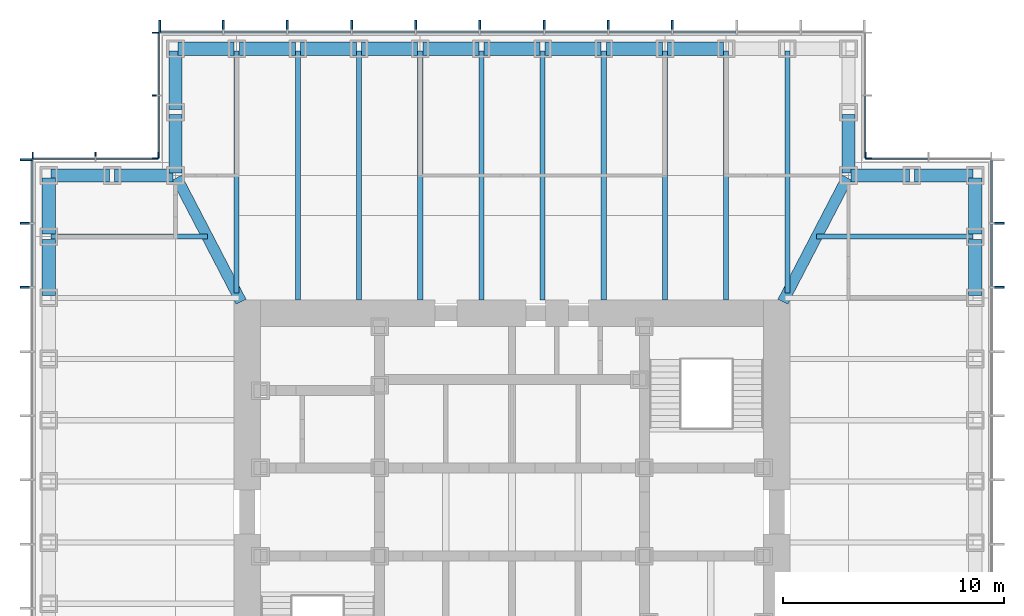
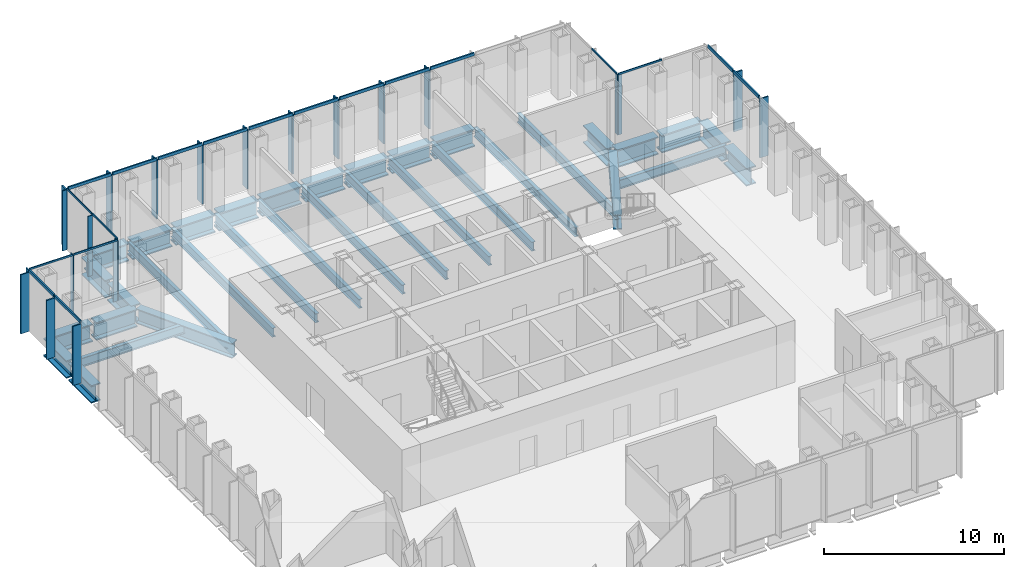
# One storey, part 5 of 16: 41 members, 34 beams, 7 elements without a shape of their own.
"""IFC4 building model written with IfcOpenShell, lengths in metres."""

from ifc_helpers import new_model, si_unit, direction, frame, origin, origin_2d, place, context, subcontext, project, spatial, rectangle, i_section, extrude, material, material_profile, profile_set, type_object, element, aggregate, save


model = new_model("IFC4")

# Units and contexts
model_context = context("Model", 3, precision=1e-05, world=origin(), true_north=direction((0.0, 1.0)))
body_context = subcontext(model_context, "Body", "Model", "MODEL_VIEW")
ifc_project = project(units=[si_unit("LENGTHUNIT", "METRE"), si_unit("AREAUNIT", "SQUARE_METRE"), si_unit("VOLUMEUNIT", "CUBIC_METRE"), si_unit("PLANEANGLEUNIT", "RADIAN"), si_unit("MASSUNIT", "GRAM", prefix="KILO")], contexts=[model_context])

# Site, building, storey
site_placement = place(None, origin())
site = spatial("IfcSite", under=ifc_project, at=site_placement, CompositionType="ELEMENT")
building_placement = place(site_placement, origin())
building = spatial("IfcBuilding", under=site, at=building_placement, Name="Daluyong Arena Tower", CompositionType="ELEMENT")
storey_placement = place(building_placement, frame((0.0, 0.0, 258.699951171875)))
storey = spatial("IfcBuildingStorey", under=building, at=storey_placement, Name="L58", CompositionType="ELEMENT", Elevation=258.699951171875)

# Curtain wall, members
ifc_material_1 = material(Name="Bronze anodised aluminium and glass", Category="aluminium")
curtain_wall_type_1 = type_object("IfcCurtainWallType", Name="Curtain wall CW4", PredefinedType="USERDEFINED", material=ifc_material_1)
curtain_wall_1_placement = place(storey_placement, origin())
curtain_wall_1 = element("IfcCurtainWall", 1, at=curtain_wall_1_placement, inside=storey, type_object=curtain_wall_type_1, Name="curtain wall L58 E", ObjectType="UNITISED CURTAIN WALL", PredefinedType="USERDEFINED")
ifc_material_2 = material(Name="Bronze anodised aluminium fin", Category="aluminium")
ifc_material_profile_1 = material_profile(ifc_material_2, rectangle(XDim=0.550048828125, YDim=0.090087890625, at=origin_2d()))
ifc_profile_set_1 = profile_set([ifc_material_profile_1], Name="Bronze anodised aluminium fin")
member_type_1 = type_object("IfcMemberType", Name="CW4 bronze fin 550x90", PredefinedType="MULLION", material=ifc_profile_set_1)
member_1_placement = place(storey_placement, frame((78.02490234375, 90.181884765625, 0.0), z_axis=(0.0, 0.0, 1.0), x_axis=(-1.0, 0.0, 0.0)))
member_1 = element("IfcMember", 2, at=member_1_placement, type_object=member_type_1, Name="curtain wall L58 E fin 10", PredefinedType="MULLION", context=body_context, shape_type="SweptSolid", body=[
    extrude(rectangle(XDim=0.550048828125, YDim=0.090087890625, at=origin_2d()), origin(), (0.0, 0.0, 1.0), 4.0),
])
member_2_placement = place(storey_placement, frame((78.02490234375, 93.0908203125, 0.0), z_axis=(0.0, 0.0, 1.0), x_axis=(-1.0, 0.0, 0.0)))
member_2 = element("IfcMember", 3, at=member_2_placement, type_object=member_type_1, Name="curtain wall L58 E fin 11", PredefinedType="MULLION", context=body_context, shape_type="SweptSolid", body=[
    extrude(rectangle(XDim=0.550048828125, YDim=0.090087890625, at=origin_2d()), origin(), (0.0, 0.0, 1.0), 4.0),
])

curtain_wall_2_placement = place(storey_placement, origin())
curtain_wall_2 = element("IfcCurtainWall", 4, at=curtain_wall_2_placement, inside=storey, type_object=curtain_wall_type_1, Name="curtain wall L58 N", ObjectType="UNITISED CURTAIN WALL", PredefinedType="USERDEFINED")
member_3_placement = place(storey_placement, frame((63.272705078125, 102.02490234375, 0.0), z_axis=(0.0, 0.0, 1.0), x_axis=(0.0, -1.0, 0.0)))
member_3 = element("IfcMember", 5, at=member_3_placement, type_object=member_type_1, Name="curtain wall L58 N fin 4", PredefinedType="MULLION", context=body_context, shape_type="SweptSolid", body=[
    extrude(rectangle(XDim=0.550048828125, YDim=0.090087890625, at=origin_2d()), origin(), (0.0, 0.0, 1.0), 4.0),
])
member_4_placement = place(storey_placement, frame((60.363525390625, 102.02490234375, 0.0), z_axis=(0.0, 0.0, 1.0), x_axis=(0.0, -1.0, 0.0)))
member_4 = element("IfcMember", 6, at=member_4_placement, type_object=member_type_1, Name="curtain wall L58 N fin 5", PredefinedType="MULLION", context=body_context, shape_type="SweptSolid", body=[
    extrude(rectangle(XDim=0.550048828125, YDim=0.090087890625, at=origin_2d()), origin(), (0.0, 0.0, 1.0), 4.0),
])
member_5_placement = place(storey_placement, frame((57.45458984375, 102.02490234375, 0.0), z_axis=(0.0, 0.0, 1.0), x_axis=(0.0, -1.0, 0.0)))
member_5 = element("IfcMember", 7, at=member_5_placement, type_object=member_type_1, Name="curtain wall L58 N fin 6", PredefinedType="MULLION", context=body_context, shape_type="SweptSolid", body=[
    extrude(rectangle(XDim=0.550048828125, YDim=0.090087890625, at=origin_2d()), origin(), (0.0, 0.0, 1.0), 4.0),
])
member_6_placement = place(storey_placement, frame((54.54541015625, 102.02490234375, 0.0), z_axis=(0.0, 0.0, 1.0), x_axis=(0.0, -1.0, 0.0)))
member_6 = element("IfcMember", 8, at=member_6_placement, type_object=member_type_1, Name="curtain wall L58 N fin 7", PredefinedType="MULLION", context=body_context, shape_type="SweptSolid", body=[
    extrude(rectangle(XDim=0.550048828125, YDim=0.090087890625, at=origin_2d()), origin(), (0.0, 0.0, 1.0), 4.0),
])
member_7_placement = place(storey_placement, frame((51.636474609375, 102.02490234375, 0.0), z_axis=(0.0, 0.0, 1.0), x_axis=(0.0, -1.0, 0.0)))
member_7 = element("IfcMember", 9, at=member_7_placement, type_object=member_type_1, Name="curtain wall L58 N fin 8", PredefinedType="MULLION", context=body_context, shape_type="SweptSolid", body=[
    extrude(rectangle(XDim=0.550048828125, YDim=0.090087890625, at=origin_2d()), origin(), (0.0, 0.0, 1.0), 4.0),
])
member_8_placement = place(storey_placement, frame((48.727294921875, 102.02490234375, 0.0), z_axis=(0.0, 0.0, 1.0), x_axis=(0.0, -1.0, 0.0)))
member_8 = element("IfcMember", 10, at=member_8_placement, type_object=member_type_1, Name="curtain wall L58 N fin 9", PredefinedType="MULLION", context=body_context, shape_type="SweptSolid", body=[
    extrude(rectangle(XDim=0.550048828125, YDim=0.090087890625, at=origin_2d()), origin(), (0.0, 0.0, 1.0), 4.0),
])
member_9_placement = place(storey_placement, frame((45.818115234375, 102.02490234375, 0.0), z_axis=(0.0, 0.0, 1.0), x_axis=(0.0, -1.0, 0.0)))
member_9 = element("IfcMember", 11, at=member_9_placement, type_object=member_type_1, Name="curtain wall L58 N fin 10", PredefinedType="MULLION", context=body_context, shape_type="SweptSolid", body=[
    extrude(rectangle(XDim=0.550048828125, YDim=0.090087890625, at=origin_2d()), origin(), (0.0, 0.0, 1.0), 4.0),
])
member_10_placement = place(storey_placement, frame((42.9091796875, 102.02490234375, 0.0), z_axis=(0.0, 0.0, 1.0), x_axis=(0.0, -1.0, 0.0)))
member_10 = element("IfcMember", 12, at=member_10_placement, type_object=member_type_1, Name="curtain wall L58 N fin 11", PredefinedType="MULLION", context=body_context, shape_type="SweptSolid", body=[
    extrude(rectangle(XDim=0.550048828125, YDim=0.090087890625, at=origin_2d()), origin(), (0.0, 0.0, 1.0), 4.0),
])
member_11_placement = place(storey_placement, frame((40.044921875, 102.02490234375, 0.0), z_axis=(0.0, 0.0, 1.0), x_axis=(0.0, -1.0, 0.0)))
member_11 = element("IfcMember", 13, at=member_11_placement, type_object=member_type_1, Name="curtain wall L58 N fin 12", PredefinedType="MULLION", context=body_context, shape_type="SweptSolid", body=[
    extrude(rectangle(XDim=0.550048828125, YDim=0.090087890625, at=origin_2d()), origin(), (0.0, 0.0, 1.0), 4.0),
])

curtain_wall_3_placement = place(storey_placement, origin())
curtain_wall_3 = element("IfcCurtainWall", 14, at=curtain_wall_3_placement, inside=storey, type_object=curtain_wall_type_1, Name="curtain wall L58 W", ObjectType="UNITISED CURTAIN WALL", PredefinedType="USERDEFINED")
member_12_placement = place(storey_placement, frame((33.97509765625, 95.955078125, 0.0), z_axis=(0.0, 0.0, 1.0), x_axis=(1.0, 0.0, 0.0)))
member_12 = element("IfcMember", 15, at=member_12_placement, type_object=member_type_1, Name="curtain wall L58 W fin 1", PredefinedType="MULLION", context=body_context, shape_type="SweptSolid", body=[
    extrude(rectangle(XDim=0.550048828125, YDim=0.090087890625, at=origin_2d()), origin(), (0.0, 0.0, 1.0), 4.0),
])
member_13_placement = place(storey_placement, frame((33.97509765625, 93.0908203125, 0.0), z_axis=(0.0, 0.0, 1.0), x_axis=(1.0, 0.0, 0.0)))
member_13 = element("IfcMember", 16, at=member_13_placement, type_object=member_type_1, Name="curtain wall L58 W fin 2", PredefinedType="MULLION", context=body_context, shape_type="SweptSolid", body=[
    extrude(rectangle(XDim=0.550048828125, YDim=0.090087890625, at=origin_2d()), origin(), (0.0, 0.0, 1.0), 4.0),
])
member_14_placement = place(storey_placement, frame((33.97509765625, 90.181884765625, 0.0), z_axis=(0.0, 0.0, 1.0), x_axis=(1.0, 0.0, 0.0)))
member_14 = element("IfcMember", 17, at=member_14_placement, type_object=member_type_1, Name="curtain wall L58 W fin 3", PredefinedType="MULLION", context=body_context, shape_type="SweptSolid", body=[
    extrude(rectangle(XDim=0.550048828125, YDim=0.090087890625, at=origin_2d()), origin(), (0.0, 0.0, 1.0), 4.0),
])

# Member
ifc_material_3 = material(Name="Bronze anodised aluminium", Category="aluminium")
ifc_material_profile_2 = material_profile(ifc_material_3, rectangle(XDim=0.090087890625, YDim=0.199951171875, at=origin_2d()))
ifc_profile_set_2 = profile_set([ifc_material_profile_2], Name="Bronze anodised aluminium")
member_type_2 = type_object("IfcMemberType", Name="CW4 stack transom 200x90", PredefinedType="USERDEFINED", material=ifc_profile_set_2)
member_15_placement = place(storey_placement, frame((77.75, 90.226806640625, 4.10009765625), z_axis=(0.0, 1.0, 0.0), x_axis=(-1.0, 0.0, 0.0)))
member_15 = element("IfcMember", 18, at=member_15_placement, type_object=member_type_2, Name="curtain wall L58 E transom 10", ObjectType="TRANSOM", PredefinedType="USERDEFINED", context=body_context, shape_type="SweptSolid", body=[
    extrude(rectangle(XDim=0.090087890625, YDim=0.199951171875, at=origin_2d()), origin(), (0.0, 0.0, 1.0), 2.819091796875),
])

member_16_placement = place(storey_placement, frame((77.75, 93.135986328125, 4.10009765625), z_axis=(0.0, 1.0, 0.0), x_axis=(-1.0, 0.0, 0.0)))
member_16 = element("IfcMember", 19, at=member_16_placement, type_object=member_type_2, Name="curtain wall L58 E transom 11", ObjectType="TRANSOM", PredefinedType="USERDEFINED", context=body_context, shape_type="SweptSolid", body=[
    extrude(rectangle(XDim=0.090087890625, YDim=0.199951171875, at=origin_2d()), origin(), (0.0, 0.0, 1.0), 2.77392578125),
])

aggregate(curtain_wall_1, [member_1, member_2, member_15, member_16])

member_17_placement = place(storey_placement, frame((66.13671875, 101.75, 4.10009765625), z_axis=(-1.0, 0.0, 0.0), x_axis=(0.0, -1.0, 0.0)))
member_17 = element("IfcMember", 20, at=member_17_placement, type_object=member_type_2, Name="curtain wall L58 N transom 3", ObjectType="TRANSOM", PredefinedType="USERDEFINED", context=body_context, shape_type="SweptSolid", body=[
    extrude(rectangle(XDim=0.090087890625, YDim=0.199951171875, at=origin_2d()), origin(), (0.0, 0.0, 1.0), 2.819091796875),
])

member_18_placement = place(storey_placement, frame((63.227783203125, 101.75, 4.10009765625), z_axis=(-1.0, 0.0, 0.0), x_axis=(0.0, -1.0, 0.0)))
member_18 = element("IfcMember", 21, at=member_18_placement, type_object=member_type_2, Name="curtain wall L58 N transom 4", ObjectType="TRANSOM", PredefinedType="USERDEFINED", context=body_context, shape_type="SweptSolid", body=[
    extrude(rectangle(XDim=0.090087890625, YDim=0.199951171875, at=origin_2d()), origin(), (0.0, 0.0, 1.0), 2.819091796875),
])

member_19_placement = place(storey_placement, frame((60.318603515625, 101.75, 4.10009765625), z_axis=(-1.0, 0.0, 0.0), x_axis=(0.0, -1.0, 0.0)))
member_19 = element("IfcMember", 22, at=member_19_placement, type_object=member_type_2, Name="curtain wall L58 N transom 5", ObjectType="TRANSOM", PredefinedType="USERDEFINED", context=body_context, shape_type="SweptSolid", body=[
    extrude(rectangle(XDim=0.090087890625, YDim=0.199951171875, at=origin_2d()), origin(), (0.0, 0.0, 1.0), 2.819091796875),
])

member_20_placement = place(storey_placement, frame((57.409423828125, 101.75, 4.10009765625), z_axis=(-1.0, 0.0, 0.0), x_axis=(0.0, -1.0, 0.0)))
member_20 = element("IfcMember", 23, at=member_20_placement, type_object=member_type_2, Name="curtain wall L58 N transom 6", ObjectType="TRANSOM", PredefinedType="USERDEFINED", context=body_context, shape_type="SweptSolid", body=[
    extrude(rectangle(XDim=0.090087890625, YDim=0.199951171875, at=origin_2d()), origin(), (0.0, 0.0, 1.0), 2.81884765625),
])

member_21_placement = place(storey_placement, frame((54.50048828125, 101.75, 4.10009765625), z_axis=(-1.0, 0.0, 0.0), x_axis=(0.0, -1.0, 0.0)))
member_21 = element("IfcMember", 24, at=member_21_placement, type_object=member_type_2, Name="curtain wall L58 N transom 7", ObjectType="TRANSOM", PredefinedType="USERDEFINED", context=body_context, shape_type="SweptSolid", body=[
    extrude(rectangle(XDim=0.090087890625, YDim=0.199951171875, at=origin_2d()), origin(), (0.0, 0.0, 1.0), 2.819091796875),
])

member_22_placement = place(storey_placement, frame((51.59130859375, 101.75, 4.10009765625), z_axis=(-1.0, 0.0, 0.0), x_axis=(0.0, -1.0, 0.0)))
member_22 = element("IfcMember", 25, at=member_22_placement, type_object=member_type_2, Name="curtain wall L58 N transom 8", ObjectType="TRANSOM", PredefinedType="USERDEFINED", context=body_context, shape_type="SweptSolid", body=[
    extrude(rectangle(XDim=0.090087890625, YDim=0.199951171875, at=origin_2d()), origin(), (0.0, 0.0, 1.0), 2.819091796875),
])

member_23_placement = place(storey_placement, frame((48.682373046875, 101.75, 4.10009765625), z_axis=(-1.0, 0.0, 0.0), x_axis=(0.0, -1.0, 0.0)))
member_23 = element("IfcMember", 26, at=member_23_placement, type_object=member_type_2, Name="curtain wall L58 N transom 9", ObjectType="TRANSOM", PredefinedType="USERDEFINED", context=body_context, shape_type="SweptSolid", body=[
    extrude(rectangle(XDim=0.090087890625, YDim=0.199951171875, at=origin_2d()), origin(), (0.0, 0.0, 1.0), 2.819091796875),
])

member_24_placement = place(storey_placement, frame((45.773193359375, 101.75, 4.10009765625), z_axis=(-1.0, 0.0, 0.0), x_axis=(0.0, -1.0, 0.0)))
member_24 = element("IfcMember", 27, at=member_24_placement, type_object=member_type_2, Name="curtain wall L58 N transom 10", ObjectType="TRANSOM", PredefinedType="USERDEFINED", context=body_context, shape_type="SweptSolid", body=[
    extrude(rectangle(XDim=0.090087890625, YDim=0.199951171875, at=origin_2d()), origin(), (0.0, 0.0, 1.0), 2.819091796875),
])

member_25_placement = place(storey_placement, frame((42.864013671875, 101.75, 4.10009765625), z_axis=(-1.0, 0.0, 0.0), x_axis=(0.0, -1.0, 0.0)))
member_25 = element("IfcMember", 28, at=member_25_placement, type_object=member_type_2, Name="curtain wall L58 N transom 11", ObjectType="TRANSOM", PredefinedType="USERDEFINED", context=body_context, shape_type="SweptSolid", body=[
    extrude(rectangle(XDim=0.090087890625, YDim=0.199951171875, at=origin_2d()), origin(), (0.0, 0.0, 1.0), 2.77392578125),
])

aggregate(curtain_wall_2, [member_3, member_4, member_5, member_6, member_7, member_8, member_9, member_10, member_11, member_17, member_18, member_19, member_20, member_21, member_22, member_23, member_24, member_25])

member_26_placement = place(storey_placement, frame((34.25, 95.909912109375, 4.10009765625), z_axis=(0.0, -1.0, 0.0), x_axis=(1.0, 0.0, 0.0)))
member_26 = element("IfcMember", 29, at=member_26_placement, type_object=member_type_2, Name="curtain wall L58 W transom 1", ObjectType="TRANSOM", PredefinedType="USERDEFINED", context=body_context, shape_type="SweptSolid", body=[
    extrude(rectangle(XDim=0.090087890625, YDim=0.199951171875, at=origin_2d()), origin(), (0.0, 0.0, 1.0), 2.77392578125),
])

member_27_placement = place(storey_placement, frame((34.25, 93.0458984375, 4.10009765625), z_axis=(0.0, -1.0, 0.0), x_axis=(1.0, 0.0, 0.0)))
member_27 = element("IfcMember", 30, at=member_27_placement, type_object=member_type_2, Name="curtain wall L58 W transom 2", ObjectType="TRANSOM", PredefinedType="USERDEFINED", context=body_context, shape_type="SweptSolid", body=[
    extrude(rectangle(XDim=0.090087890625, YDim=0.199951171875, at=origin_2d()), origin(), (0.0, 0.0, 1.0), 2.819091796875),
])

aggregate(curtain_wall_3, [member_12, member_13, member_14, member_26, member_27])

# Curtain wall, member
ifc_material_4 = material(Name="Bronze anodised aluminium and glass", Category="aluminium")
curtain_wall_type_2 = type_object("IfcCurtainWallType", Name="Curtain wall CW7", PredefinedType="USERDEFINED", material=ifc_material_4)
curtain_wall_4_placement = place(storey_placement, origin())
curtain_wall_4 = element("IfcCurtainWall", 31, at=curtain_wall_4_placement, inside=storey, type_object=curtain_wall_type_2, Name="curtain wall L58 NE-N", ObjectType="UNITISED CURTAIN WALL", PredefinedType="USERDEFINED")
ifc_material_5 = material(Name="Bronze anodised aluminium fin", Category="aluminium")
ifc_material_profile_3 = material_profile(ifc_material_5, rectangle(XDim=0.300048828125, YDim=0.06005859375, at=origin_2d()))
ifc_profile_set_3 = profile_set([ifc_material_profile_3], Name="Bronze anodised aluminium fin")
member_type_3 = type_object("IfcMemberType", Name="CW7 bronze fin 300x60", PredefinedType="MULLION", material=ifc_profile_set_3)
member_28_placement = place(storey_placement, frame((72.030029296875, 96.14990234375, 0.0), z_axis=(0.0, 0.0, 1.0), x_axis=(0.0, -1.0, 0.0)))
member_28 = element("IfcMember", 32, at=member_28_placement, type_object=member_type_3, Name="curtain wall L58 NE-N fin 3", PredefinedType="MULLION", context=body_context, shape_type="SweptSolid", body=[
    extrude(rectangle(XDim=0.300048828125, YDim=0.06005859375, at=origin_2d()), origin(), (0.0, 0.0, 1.0), 4.080078125),
])

curtain_wall_5_placement = place(storey_placement, origin())
curtain_wall_5 = element("IfcCurtainWall", 33, at=curtain_wall_5_placement, inside=storey, type_object=curtain_wall_type_2, Name="curtain wall L58 NE-E", ObjectType="UNITISED CURTAIN WALL", PredefinedType="USERDEFINED")
member_29_placement = place(storey_placement, frame((72.14990234375, 96.030029296875, 0.0), z_axis=(0.0, 0.0, 1.0), x_axis=(-1.0, 0.0, 0.0)))
member_29 = element("IfcMember", 34, at=member_29_placement, type_object=member_type_3, Name="curtain wall L58 NE-E fin 1", PredefinedType="MULLION", context=body_context, shape_type="SweptSolid", body=[
    extrude(rectangle(XDim=0.300048828125, YDim=0.06005859375, at=origin_2d()), origin(), (0.0, 0.0, 1.0), 4.080078125),
])

# Curtain wall, members
curtain_wall_6_placement = place(storey_placement, origin())
curtain_wall_6 = element("IfcCurtainWall", 35, at=curtain_wall_6_placement, inside=storey, type_object=curtain_wall_type_2, Name="curtain wall L58 NW-W", ObjectType="UNITISED CURTAIN WALL", PredefinedType="USERDEFINED")
member_30_placement = place(storey_placement, frame((39.85009765625, 101.719970703125, 0.0), z_axis=(0.0, 0.0, 1.0), x_axis=(1.0, 0.0, 0.0)))
member_30 = element("IfcMember", 36, at=member_30_placement, type_object=member_type_3, Name="curtain wall L58 NW-W fin 1", PredefinedType="MULLION", context=body_context, shape_type="SweptSolid", body=[
    extrude(rectangle(XDim=0.300048828125, YDim=0.06005859375, at=origin_2d()), origin(), (0.0, 0.0, 1.0), 4.080078125),
])
member_31_placement = place(storey_placement, frame((39.85009765625, 98.875, 0.0), z_axis=(0.0, 0.0, 1.0), x_axis=(1.0, 0.0, 0.0)))
member_31 = element("IfcMember", 37, at=member_31_placement, type_object=member_type_3, Name="curtain wall L58 NW-W fin 2", PredefinedType="MULLION", context=body_context, shape_type="SweptSolid", body=[
    extrude(rectangle(XDim=0.300048828125, YDim=0.06005859375, at=origin_2d()), origin(), (0.0, 0.0, 1.0), 4.080078125),
])
member_32_placement = place(storey_placement, frame((39.85009765625, 96.030029296875, 0.0), z_axis=(0.0, 0.0, 1.0), x_axis=(1.0, 0.0, 0.0)))
member_32 = element("IfcMember", 38, at=member_32_placement, type_object=member_type_3, Name="curtain wall L58 NW-W fin 3", PredefinedType="MULLION", context=body_context, shape_type="SweptSolid", body=[
    extrude(rectangle(XDim=0.300048828125, YDim=0.06005859375, at=origin_2d()), origin(), (0.0, 0.0, 1.0), 4.080078125),
])

curtain_wall_7_placement = place(storey_placement, origin())
curtain_wall_7 = element("IfcCurtainWall", 39, at=curtain_wall_7_placement, inside=storey, type_object=curtain_wall_type_2, Name="curtain wall L58 NW-N", ObjectType="UNITISED CURTAIN WALL", PredefinedType="USERDEFINED")
member_33_placement = place(storey_placement, frame((39.969970703125, 96.14990234375, 0.0), z_axis=(0.0, 0.0, 1.0), x_axis=(0.0, -1.0, 0.0)))
member_33 = element("IfcMember", 40, at=member_33_placement, type_object=member_type_3, Name="curtain wall L58 NW-N fin 1", PredefinedType="MULLION", context=body_context, shape_type="SweptSolid", body=[
    extrude(rectangle(XDim=0.300048828125, YDim=0.06005859375, at=origin_2d()), origin(), (0.0, 0.0, 1.0), 4.080078125),
])
member_34_placement = place(storey_placement, frame((37.125, 96.14990234375, 0.0), z_axis=(0.0, 0.0, 1.0), x_axis=(0.0, -1.0, 0.0)))
member_34 = element("IfcMember", 41, at=member_34_placement, type_object=member_type_3, Name="curtain wall L58 NW-N fin 2", PredefinedType="MULLION", context=body_context, shape_type="SweptSolid", body=[
    extrude(rectangle(XDim=0.300048828125, YDim=0.06005859375, at=origin_2d()), origin(), (0.0, 0.0, 1.0), 4.080078125),
])
member_35_placement = place(storey_placement, frame((34.280029296875, 96.14990234375, 0.0), z_axis=(0.0, 0.0, 1.0), x_axis=(0.0, -1.0, 0.0)))
member_35 = element("IfcMember", 42, at=member_35_placement, type_object=member_type_3, Name="curtain wall L58 NW-N fin 3", PredefinedType="MULLION", context=body_context, shape_type="SweptSolid", body=[
    extrude(rectangle(XDim=0.300048828125, YDim=0.06005859375, at=origin_2d()), origin(), (0.0, 0.0, 1.0), 4.080078125),
])

# Member
ifc_material_6 = material(Name="Bronze anodised aluminium", Category="aluminium")
ifc_material_profile_4 = material_profile(ifc_material_6, rectangle(XDim=0.06005859375, YDim=0.1201171875, at=origin_2d()))
ifc_profile_set_4 = profile_set([ifc_material_profile_4], Name="Bronze anodised aluminium")
member_type_4 = type_object("IfcMemberType", Name="CW7 stack transom 120x60", PredefinedType="USERDEFINED", material=ifc_profile_set_4)
member_36_placement = place(storey_placement, frame((74.844970703125, 96.0, 4.14013671875), z_axis=(-1.0, 0.0, 0.0), x_axis=(0.0, -1.0, 0.0)))
member_36 = element("IfcMember", 43, at=member_36_placement, type_object=member_type_4, Name="curtain wall L58 NE-N transom 2", ObjectType="TRANSOM", PredefinedType="USERDEFINED", context=body_context, shape_type="SweptSolid", body=[
    extrude(rectangle(XDim=0.06005859375, YDim=0.1201171875, at=origin_2d()), origin(), (0.0, 0.0, 1.0), 2.784912109375),
])

aggregate(curtain_wall_4, [member_28, member_36])

member_37_placement = place(storey_placement, frame((72.0, 96.06005859375, 4.14013671875), z_axis=(0.0, 1.0, 0.0), x_axis=(-1.0, 0.0, 0.0)))
member_37 = element("IfcMember", 44, at=member_37_placement, type_object=member_type_4, Name="curtain wall L58 NE-E transom 1", ObjectType="TRANSOM", PredefinedType="USERDEFINED", context=body_context, shape_type="SweptSolid", body=[
    extrude(rectangle(XDim=0.06005859375, YDim=0.1201171875, at=origin_2d()), origin(), (0.0, 0.0, 1.0), 2.784912109375),
])

aggregate(curtain_wall_5, [member_29, member_37])

member_38_placement = place(storey_placement, frame((40.0, 101.68994140625, 4.14013671875), z_axis=(0.0, -1.0, 0.0), x_axis=(1.0, 0.0, 0.0)))
member_38 = element("IfcMember", 45, at=member_38_placement, type_object=member_type_4, Name="curtain wall L58 NW-W transom 1", ObjectType="TRANSOM", PredefinedType="USERDEFINED", context=body_context, shape_type="SweptSolid", body=[
    extrude(rectangle(XDim=0.06005859375, YDim=0.1201171875, at=origin_2d()), origin(), (0.0, 0.0, 1.0), 2.784912109375),
])

member_39_placement = place(storey_placement, frame((40.0, 98.844970703125, 4.14013671875), z_axis=(0.0, -1.0, 0.0), x_axis=(1.0, 0.0, 0.0)))
member_39 = element("IfcMember", 46, at=member_39_placement, type_object=member_type_4, Name="curtain wall L58 NW-W transom 2", ObjectType="TRANSOM", PredefinedType="USERDEFINED", context=body_context, shape_type="SweptSolid", body=[
    extrude(rectangle(XDim=0.06005859375, YDim=0.1201171875, at=origin_2d()), origin(), (0.0, 0.0, 1.0), 2.784912109375),
])

aggregate(curtain_wall_6, [member_30, member_31, member_32, member_38, member_39])

member_40_placement = place(storey_placement, frame((39.93994140625, 96.0, 4.14013671875), z_axis=(-1.0, 0.0, 0.0), x_axis=(0.0, -1.0, 0.0)))
member_40 = element("IfcMember", 47, at=member_40_placement, type_object=member_type_4, Name="curtain wall L58 NW-N transom 1", ObjectType="TRANSOM", PredefinedType="USERDEFINED", context=body_context, shape_type="SweptSolid", body=[
    extrude(rectangle(XDim=0.06005859375, YDim=0.1201171875, at=origin_2d()), origin(), (0.0, 0.0, 1.0), 2.784912109375),
])

member_41_placement = place(storey_placement, frame((37.094970703125, 96.0, 4.14013671875), z_axis=(-1.0, 0.0, 0.0), x_axis=(0.0, -1.0, 0.0)))
member_41 = element("IfcMember", 48, at=member_41_placement, type_object=member_type_4, Name="curtain wall L58 NW-N transom 2", ObjectType="TRANSOM", PredefinedType="USERDEFINED", context=body_context, shape_type="SweptSolid", body=[
    extrude(rectangle(XDim=0.06005859375, YDim=0.1201171875, at=origin_2d()), origin(), (0.0, 0.0, 1.0), 2.784912109375),
])

aggregate(curtain_wall_7, [member_33, member_34, member_35, member_40, member_41])

# Beams
ifc_material_7 = material(Name="Steel ASTM A572 Grade 50", Category="steel")
ifc_material_profile_5 = material_profile(ifc_material_7, i_section(OverallWidth=0.5, OverallDepth=1.0, WebThickness=0.03, FlangeThickness=0.06, at=origin_2d()))
ifc_profile_set_5 = profile_set([ifc_material_profile_5], Name="Steel ASTM A572 Grade 50")
beam_type_1 = type_object("IfcBeamType", Name="Corner girder TB1000X500", PredefinedType="BEAM", material=ifc_profile_set_5)
for number, where, z_axis, x_axis, name in (
    (49, (71.197021484375, 95.14794921875, -0.659912109375), (-0.461351522179, -0.887217432754, 0.0), (0.887217432754, -0.461351522179, 0.0), "corner girder DG2"),
    (50, (40.802978515625, 95.14794921875, -0.659912109375), (0.461351522179, -0.887217432754, 0.0), (0.887217432754, 0.461351522179, 0.0), "corner girder DG2"),
):
    element("IfcBeam", number, at=place(storey_placement, frame(where, z_axis=z_axis, x_axis=x_axis)), inside=storey, type_object=beam_type_1, Name=name, PredefinedType="BEAM", context=body_context, shape_type="SweptSolid", body=[
        extrude(i_section(OverallWidth=0.5, OverallDepth=1.0, WebThickness=0.03, FlangeThickness=0.06, at=origin_2d()), origin(), (0.0, 0.0, 1.0), 6.32958984375),
    ])
ifc_material_8 = material(Name="Steel ASTM A992 Grade 50", Category="steel")
ifc_material_profile_6 = material_profile(ifc_material_8, i_section(OverallWidth=0.22900390625, OverallDepth=0.612060546875, WebThickness=0.011962890625, FlangeThickness=0.01953125, at=origin_2d()))
ifc_profile_set_6 = profile_set([ifc_material_profile_6], Name="Steel ASTM A992 Grade 50")
beam_type_2 = type_object("IfcBeamType", Name="Floor beam W24X84", PredefinedType="BEAM", material=ifc_profile_set_6)
beam_1_placement = place(storey_placement, frame((76.885009765625, 92.477294921875, -0.466064453125), z_axis=(-1.0, 0.0, 0.0), x_axis=(0.0, -1.0, 0.0)))
element("IfcBeam", 51, at=beam_1_placement, inside=storey, type_object=beam_type_2, Name="floor beam FB3", PredefinedType="BEAM", context=body_context, shape_type="SweptSolid", body=[
    extrude(i_section(OverallWidth=0.22900390625, OverallDepth=0.612060546875, WebThickness=0.011962890625, FlangeThickness=0.01953125, at=origin_2d()), origin(), (0.0, 0.0, 1.0), 7.076904296875),
])
beam_2_placement = place(storey_placement, frame((68.477294921875, 100.885009765625, -0.466064453125), z_axis=(0.0, -1.0, 0.0), x_axis=(1.0, 0.0, 0.0)))
element("IfcBeam", 52, at=beam_2_placement, inside=storey, type_object=beam_type_2, Name="floor beam FB3", PredefinedType="BEAM", context=body_context, shape_type="SweptSolid", body=[
    extrude(i_section(OverallWidth=0.22900390625, OverallDepth=0.612060546875, WebThickness=0.011962890625, FlangeThickness=0.01953125, at=origin_2d()), origin(), (0.0, 0.0, 1.0), 10.96728515625),
])
for number, where, z_axis, x_axis, name in (
    (53, (65.70458984375, 100.885009765625, -0.466064453125), (0.0, -1.0, 0.0), (1.0, 0.0, 0.0), "floor beam FB3"),
    (54, (62.931884765625, 100.885009765625, -0.466064453125), (0.0, -1.0, 0.0), (1.0, 0.0, 0.0), "floor beam FB3"),
    (55, (60.1591796875, 100.885009765625, -0.466064453125), (0.0, -1.0, 0.0), (1.0, 0.0, 0.0), "floor beam FB3"),
    (56, (57.386474609375, 100.885009765625, -0.466064453125), (0.0, -1.0, 0.0), (1.0, 0.0, 0.0), "floor beam FB3"),
    (57, (54.613525390625, 100.885009765625, -0.466064453125), (0.0, -1.0, 0.0), (1.0, 0.0, 0.0), "floor beam FB3"),
    (58, (51.8408203125, 100.885009765625, -0.466064453125), (0.0, -1.0, 0.0), (1.0, 0.0, 0.0), "floor beam FB3"),
    (59, (49.068115234375, 100.885009765625, -0.466064453125), (0.0, -1.0, 0.0), (1.0, 0.0, 0.0), "floor beam FB3"),
    (60, (46.29541015625, 100.885009765625, -0.466064453125), (0.0, -1.0, 0.0), (1.0, 0.0, 0.0), "floor beam FB3"),
):
    element("IfcBeam", number, at=place(storey_placement, frame(where, z_axis=z_axis, x_axis=x_axis)), inside=storey, type_object=beam_type_2, Name=name, PredefinedType="BEAM", context=body_context, shape_type="SweptSolid", body=[
        extrude(i_section(OverallWidth=0.22900390625, OverallDepth=0.612060546875, WebThickness=0.011962890625, FlangeThickness=0.01953125, at=origin_2d()), origin(), (0.0, 0.0, 1.0), 11.284912109375),
    ])
beam_3_placement = place(storey_placement, frame((43.522705078125, 100.885009765625, -0.466064453125), z_axis=(0.0, -1.0, 0.0), x_axis=(1.0, 0.0, 0.0)))
element("IfcBeam", 61, at=beam_3_placement, inside=storey, type_object=beam_type_2, Name="floor beam FB3", PredefinedType="BEAM", context=body_context, shape_type="SweptSolid", body=[
    extrude(i_section(OverallWidth=0.22900390625, OverallDepth=0.612060546875, WebThickness=0.011962890625, FlangeThickness=0.01953125, at=origin_2d()), origin(), (0.0, 0.0, 1.0), 10.96728515625),
])
beam_4_placement = place(storey_placement, frame((35.114990234375, 92.477294921875, -0.466064453125), z_axis=(1.0, 0.0, 0.0), x_axis=(0.0, 1.0, 0.0)))
element("IfcBeam", 62, at=beam_4_placement, inside=storey, type_object=beam_type_2, Name="floor beam FB3", PredefinedType="BEAM", context=body_context, shape_type="SweptSolid", body=[
    extrude(i_section(OverallWidth=0.22900390625, OverallDepth=0.612060546875, WebThickness=0.011962890625, FlangeThickness=0.01953125, at=origin_2d()), origin(), (0.0, 0.0, 1.0), 7.076904296875),
])
ifc_material_9 = material(Name="Steel ASTM A572 Grade 50", Category="steel")
ifc_material_profile_7 = material_profile(ifc_material_9, i_section(OverallWidth=0.60009765625, OverallDepth=1.199951171875, WebThickness=0.03, FlangeThickness=0.08, at=origin_2d()))
ifc_profile_set_7 = profile_set([ifc_material_profile_7], Name="Steel ASTM A572 Grade 50")
beam_type_3 = type_object("IfcBeamType", Name="Spandrel Z4 PG1200X600", PredefinedType="SPANDREL", material=ifc_profile_set_7)
for number, where, z_axis, x_axis, name in (
    (63, (77.0, 89.819580078125, -0.760009765625), (0.0, 1.0, 0.0), (-1.0, 0.0, 0.0), "spandrel z4 SB9"),
    (64, (77.0, 92.59228515625, -0.760009765625), (0.0, 1.0, 0.0), (-1.0, 0.0, 0.0), "spandrel z4 SB9"),
):
    element("IfcBeam", number, at=place(storey_placement, frame(where, z_axis=z_axis, x_axis=x_axis)), inside=storey, type_object=beam_type_3, Name=name, PredefinedType="SPANDREL", context=body_context, shape_type="SweptSolid", body=[
        extrude(i_section(OverallWidth=0.60009765625, OverallDepth=1.199951171875, WebThickness=0.03, FlangeThickness=0.08, at=origin_2d()), origin(), (0.0, 0.0, 1.0), 2.542724609375),
    ])
for number, where, z_axis, x_axis, name in (
    (65, (76.885009765625, 95.25, -0.760009765625), (-1.0, 0.0, 0.0), (0.0, -1.0, 0.0), "spandrel z4 SB9"),
    (66, (74.010009765625, 95.25, -0.760009765625), (-1.0, 0.0, 0.0), (0.0, -1.0, 0.0), "spandrel z4 SB9"),
    (67, (71.25, 95.364990234375, -0.760009765625), (0.0, 1.0, 0.0), (-1.0, 0.0, 0.0), "spandrel z4 SB9"),
):
    element("IfcBeam", number, at=place(storey_placement, frame(where, z_axis=z_axis, x_axis=x_axis)), inside=storey, type_object=beam_type_3, Name=name, PredefinedType="SPANDREL", context=body_context, shape_type="SweptSolid", body=[
        extrude(i_section(OverallWidth=0.60009765625, OverallDepth=1.199951171875, WebThickness=0.03, FlangeThickness=0.08, at=origin_2d()), origin(), (0.0, 0.0, 1.0), 2.64501953125),
    ])
for number, where, z_axis, x_axis, name in (
    (68, (65.589599609375, 101.0, -0.760009765625), (-1.0, 0.0, 0.0), (0.0, -1.0, 0.0), "spandrel z4 SB9"),
    (69, (62.81689453125, 101.0, -0.760009765625), (-1.0, 0.0, 0.0), (0.0, -1.0, 0.0), "spandrel z4 SB9"),
    (70, (60.044189453125, 101.0, -0.760009765625), (-1.0, 0.0, 0.0), (0.0, -1.0, 0.0), "spandrel z4 SB9"),
):
    element("IfcBeam", number, at=place(storey_placement, frame(where, z_axis=z_axis, x_axis=x_axis)), inside=storey, type_object=beam_type_3, Name=name, PredefinedType="SPANDREL", context=body_context, shape_type="SweptSolid", body=[
        extrude(i_section(OverallWidth=0.60009765625, OverallDepth=1.199951171875, WebThickness=0.03, FlangeThickness=0.08, at=origin_2d()), origin(), (0.0, 0.0, 1.0), 2.542724609375),
    ])
beam_5_placement = place(storey_placement, frame((57.271484375, 101.0, -0.760009765625), z_axis=(-1.0, 0.0, 0.0), x_axis=(0.0, -1.0, 0.0)))
element("IfcBeam", 71, at=beam_5_placement, inside=storey, type_object=beam_type_3, Name="spandrel z4 SB9", PredefinedType="SPANDREL", context=body_context, shape_type="SweptSolid", body=[
    extrude(i_section(OverallWidth=0.60009765625, OverallDepth=1.199951171875, WebThickness=0.03, FlangeThickness=0.08, at=origin_2d()), origin(), (0.0, 0.0, 1.0), 2.54296875),
])
for number, where, z_axis, x_axis, name in (
    (72, (54.49853515625, 101.0, -0.760009765625), (-1.0, 0.0, 0.0), (0.0, -1.0, 0.0), "spandrel z4 SB9"),
    (73, (51.725830078125, 101.0, -0.760009765625), (-1.0, 0.0, 0.0), (0.0, -1.0, 0.0), "spandrel z4 SB9"),
    (74, (48.953125, 101.0, -0.760009765625), (-1.0, 0.0, 0.0), (0.0, -1.0, 0.0), "spandrel z4 SB9"),
    (75, (46.180419921875, 101.0, -0.760009765625), (-1.0, 0.0, 0.0), (0.0, -1.0, 0.0), "spandrel z4 SB9"),
    (76, (43.40771484375, 101.0, -0.760009765625), (-1.0, 0.0, 0.0), (0.0, -1.0, 0.0), "spandrel z4 SB9"),
):
    element("IfcBeam", number, at=place(storey_placement, frame(where, z_axis=z_axis, x_axis=x_axis)), inside=storey, type_object=beam_type_3, Name=name, PredefinedType="SPANDREL", context=body_context, shape_type="SweptSolid", body=[
        extrude(i_section(OverallWidth=0.60009765625, OverallDepth=1.199951171875, WebThickness=0.03, FlangeThickness=0.08, at=origin_2d()), origin(), (0.0, 0.0, 1.0), 2.542724609375),
    ])
for number, where, z_axis, x_axis, name in (
    (77, (40.75, 100.885009765625, -0.760009765625), (0.0, -1.0, 0.0), (1.0, 0.0, 0.0), "spandrel z4 SB9"),
    (78, (40.75, 98.010009765625, -0.760009765625), (0.0, -1.0, 0.0), (1.0, 0.0, 0.0), "spandrel z4 SB9"),
    (79, (40.635009765625, 95.25, -0.760009765625), (-1.0, 0.0, 0.0), (0.0, -1.0, 0.0), "spandrel z4 SB9"),
    (80, (37.760009765625, 95.25, -0.760009765625), (-1.0, 0.0, 0.0), (0.0, -1.0, 0.0), "spandrel z4 SB9"),
):
    element("IfcBeam", number, at=place(storey_placement, frame(where, z_axis=z_axis, x_axis=x_axis)), inside=storey, type_object=beam_type_3, Name=name, PredefinedType="SPANDREL", context=body_context, shape_type="SweptSolid", body=[
        extrude(i_section(OverallWidth=0.60009765625, OverallDepth=1.199951171875, WebThickness=0.03, FlangeThickness=0.08, at=origin_2d()), origin(), (0.0, 0.0, 1.0), 2.64501953125),
    ])
for number, where, z_axis, x_axis, name in (
    (81, (35.0, 95.135009765625, -0.760009765625), (0.0, -1.0, 0.0), (1.0, 0.0, 0.0), "spandrel z4 SB9"),
    (82, (35.0, 92.3623046875, -0.760009765625), (0.0, -1.0, 0.0), (1.0, 0.0, 0.0), "spandrel z4 SB9"),
):
    element("IfcBeam", number, at=place(storey_placement, frame(where, z_axis=z_axis, x_axis=x_axis)), inside=storey, type_object=beam_type_3, Name=name, PredefinedType="SPANDREL", context=body_context, shape_type="SweptSolid", body=[
        extrude(i_section(OverallWidth=0.60009765625, OverallDepth=1.199951171875, WebThickness=0.03, FlangeThickness=0.08, at=origin_2d()), origin(), (0.0, 0.0, 1.0), 2.542724609375),
    ])

save(model, "model.ifc")
